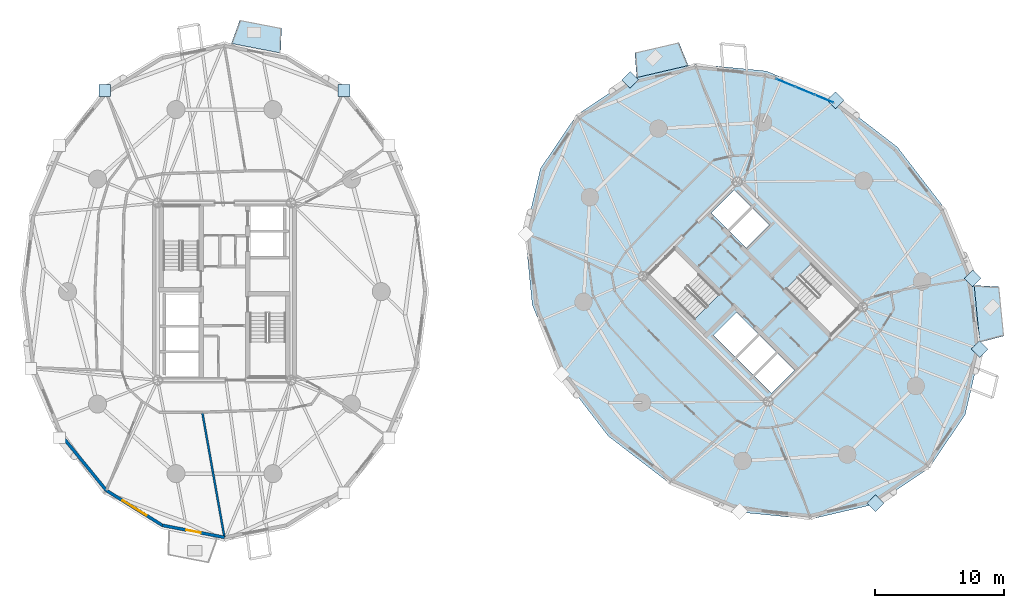
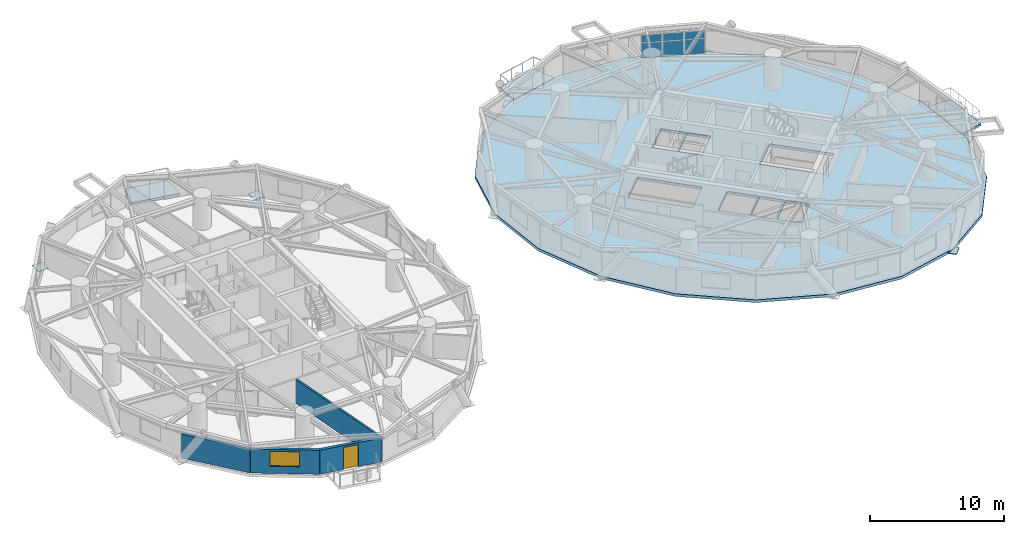
# One storey, part 9 of 18: 13 plates, 4 slabs, 4 walls, 1 door, 1 window, 2 openings, 1 element without a shape of its own.
"""IFC4 building model written with IfcOpenShell, lengths in metres."""

import ifcopenshell
import ifcopenshell.guid

model = None  # the IFC model being written
_history = None  # IfcOwnerHistory: only IFC2X3 demands one
_inside = {}  # id of a spatial element -> (the spatial element, [elements in it])
_under = {}  # id of a project, library or spatial element -> (it, [spatial elements below it])
_declared = {}  # id of a project -> (the project, [libraries it declares])
_typed = {}  # id of a type object -> (the type object, [elements of that type])
_made_of = {}  # id of a material, layer set ... -> (it, [elements and type objects made of it])


def new_model(schema):
    """Start an empty IFC model of exactly this schema.

    Asked for "IFC4X3", IfcOpenShell would pick the latest addendum, in which some entities
    have other attributes; the version numbers below select the first issue.
    IFC2X3 requires an IfcOwnerHistory on every rooted entity: one is made here for all.
    """
    global model, _history
    if schema == "IFC4X3":
        model = ifcopenshell.file(schema_version=(4, 3, 0, 0))
    else:
        model = ifcopenshell.file(schema=schema)
    _inside.clear()
    _under.clear()
    _declared.clear()
    _typed.clear()
    _made_of.clear()
    _history = None
    if model.schema == "IFC2X3":
        org = make("IfcOrganization", Name="unknown")
        user = make(
            "IfcPersonAndOrganization",
            ThePerson=make("IfcPerson", FamilyName="unknown"),
            TheOrganization=org,
        )
        app = make(
            "IfcApplication",
            ApplicationDeveloper=org,
            Version="unknown",
            ApplicationFullName="unknown",
            ApplicationIdentifier="unknown",
        )
        _history = make(
            "IfcOwnerHistory",
            OwningUser=user,
            OwningApplication=app,
            ChangeAction="ADDED",
            CreationDate=0,
        )
    return model


def make(cls, **values):
    """One entity of the class cls with the attributes given. An attribute that is None is left unset."""
    return model.create_entity(
        cls, **{name: value for name, value in values.items() if value is not None}
    )


def rooted(cls, **values):
    """An entity with a GlobalId (a new one), such as an element, a storey or a relation."""
    return make(cls, GlobalId=ifcopenshell.guid.new(), OwnerHistory=_history, **values)


def si_unit(unit_type, name, prefix=None):
    """IfcSIUnit, for example si_unit("LENGTHUNIT", "METRE", prefix="MILLI")."""
    return make("IfcSIUnit", UnitType=unit_type, Prefix=prefix, Name=name)


def assignment(units):
    """IfcUnitAssignment: the units of a project."""
    return None if units is None else make("IfcUnitAssignment", Units=units)


def point(xyz):
    """IfcCartesianPoint."""
    return None if xyz is None else make("IfcCartesianPoint", Coordinates=xyz)


def direction(xyz):
    """IfcDirection."""
    return None if xyz is None else make("IfcDirection", DirectionRatios=xyz)


def frame(location, z_axis=None, x_axis=None):
    """IfcAxis2Placement3D, a coordinate frame: its origin and axes. An axis left out is left unset."""
    return make(
        "IfcAxis2Placement3D",
        Location=point(location),
        Axis=direction(z_axis),
        RefDirection=direction(x_axis),
    )


def frame_2d(location, x_axis=None):
    """IfcAxis2Placement2D, a coordinate frame in the plane: its origin and x axis."""
    return make(
        "IfcAxis2Placement2D", Location=point(location), RefDirection=direction(x_axis)
    )


def origin():
    """The frame at (0, 0, 0) with its axes left unset."""
    return frame((0.0, 0.0, 0.0))


def origin_2d():
    """The frame at (0, 0) in the plane with its x axis left unset."""
    return frame_2d((0.0, 0.0))


def place(relative_to, where):
    """IfcLocalPlacement: puts the frame where relative to a parent placement (None: the world)."""
    return make(
        "IfcLocalPlacement", PlacementRelTo=relative_to, RelativePlacement=where
    )


def context(
    kind, dimensions, precision=None, world=None, true_north=None, identifier=None
):
    """IfcGeometricRepresentationContext, for example the 3D "Model" context."""
    return make(
        "IfcGeometricRepresentationContext",
        ContextIdentifier=identifier,
        ContextType=kind,
        CoordinateSpaceDimension=dimensions,
        Precision=precision,
        WorldCoordinateSystem=world,
        TrueNorth=true_north,
    )


def subcontext(parent, identifier, kind, view, scale=None):
    """IfcGeometricRepresentationSubContext, for example "Body" below "Model"."""
    return make(
        "IfcGeometricRepresentationSubContext",
        ContextIdentifier=identifier,
        ContextType=kind,
        ParentContext=parent,
        TargetScale=scale,
        TargetView=view,
    )


def project(units=None, contexts=None):
    """IfcProject with its units and contexts."""
    return rooted(
        "IfcProject",
        Name="project",
        RepresentationContexts=contexts,
        UnitsInContext=assignment(units),
    )


def spatial(cls, under=None, at=None, **own):
    """A site, building, storey or space (cls), placed at a placement, below another one or the project."""
    s = rooted(cls, ObjectPlacement=at, **own)
    if under is not None:
        _under.setdefault(under.id(), (under, []))[1].append(s)
    return s


def polyline(points):
    """IfcPolyline through the points."""
    return make("IfcPolyline", Points=[point(p) for p in points])


def profile(cls, at=None, kind="AREA", **sizes):
    """A parametric profile (cls). Its sizes go by their IFC names, for example OverallWidth=200.0."""
    return make(cls, ProfileType=kind, Position=at, **sizes)


def rectangle(**sizes):
    """IfcRectangleProfileDef."""
    return profile("IfcRectangleProfileDef", **sizes)


def outline(outer, holes=None, kind="AREA"):
    """IfcArbitraryClosedProfileDef: a profile drawn as a closed curve; with holes, ...WithVoids."""
    if holes is None:
        return make("IfcArbitraryClosedProfileDef", ProfileType=kind, OuterCurve=outer)
    return make(
        "IfcArbitraryProfileDefWithVoids",
        ProfileType=kind,
        OuterCurve=outer,
        InnerCurves=holes,
    )


def extrude(swept, where, along, depth):
    """IfcExtrudedAreaSolid: the profile swept, set in the frame where, extruded along a direction by depth."""
    return make(
        "IfcExtrudedAreaSolid",
        SweptArea=swept,
        Position=where,
        ExtrudedDirection=direction(along),
        Depth=depth,
    )


def shape(context_of_items, identifier, shape_type, items):
    """IfcShapeRepresentation: the items that make up one representation, for example the "Body"."""
    return make(
        "IfcShapeRepresentation",
        ContextOfItems=context_of_items,
        RepresentationIdentifier=identifier,
        RepresentationType=shape_type,
        Items=items,
    )


def source(mapping_origin, context_of_items, identifier, shape_type, items):
    """IfcRepresentationMap: a shape defined once, which mapped items show again and again."""
    return make(
        "IfcRepresentationMap",
        MappingOrigin=mapping_origin,
        MappedRepresentation=shape(context_of_items, identifier, shape_type, items),
    )


def transform(
    local_origin,
    x_axis=None,
    y_axis=None,
    z_axis=None,
    scale=None,
    scale2=None,
    scale3=None,
    uniform=True,
):
    """IfcCartesianTransformationOperator3D, or its non-uniform kind. x_axis, y_axis, z_axis: its Axis1, 2, 3."""
    if uniform:
        return make(
            "IfcCartesianTransformationOperator3D",
            Axis1=direction(x_axis),
            Axis2=direction(y_axis),
            LocalOrigin=point(local_origin),
            Scale=scale,
            Axis3=direction(z_axis),
        )
    return make(
        "IfcCartesianTransformationOperator3DnonUniform",
        Axis1=direction(x_axis),
        Axis2=direction(y_axis),
        LocalOrigin=point(local_origin),
        Scale=scale,
        Axis3=direction(z_axis),
        Scale2=scale2,
        Scale3=scale3,
    )


def mapped(mapping_source, mapping_target):
    """IfcMappedItem: shows the shape of a source again, moved by a transform."""
    return make(
        "IfcMappedItem", MappingSource=mapping_source, MappingTarget=mapping_target
    )


def material(Name=None, Category=None):
    """IfcMaterial."""
    return make("IfcMaterial", Name=Name, Category=Category)


def layer(
    of_material, thickness, ventilated=None, Name=None, Category=None, Priority=None
):
    """IfcMaterialLayer: one layer of a wall or slab, of a material (None: an air gap)."""
    return make(
        "IfcMaterialLayer",
        Material=of_material,
        LayerThickness=thickness,
        IsVentilated=ventilated,
        Name=Name,
        Category=Category,
        Priority=Priority,
    )


def layer_set(layers, Name=None):
    """IfcMaterialLayerSet."""
    return make("IfcMaterialLayerSet", MaterialLayers=layers, LayerSetName=Name)


def made_of(thing, what):
    """Note that an element or type object is made of a material, layer set ...; save() writes the relation."""
    if what is not None:
        _made_of.setdefault(what.id(), (what, []))[1].append(thing)
    return thing


def type_object(cls, material=None, **own):
    """A type object (cls), such as IfcWallType, which elements share."""
    return made_of(rooted(cls, **own), material)


def element(
    cls,
    number,
    at=None,
    inside=None,
    cuts=None,
    type_object=None,
    material=None,
    context=None,
    identifier="Body",
    shape_type=None,
    held_by="IfcProductDefinitionShape",
    body=None,
    shapes=None,
    **own,
):
    """One element of the class cls, such as IfcWall. Its Tag is "e" and its number.

    at: its placement. inside: the storey or other place that contains it. cuts: it is an
    opening in that element (IfcRelVoidsElement). A single representation is given by context,
    identifier, shape_type and body (its items); several are given by shapes. held_by: the class
    of the entity that holds the representations. save() writes the other relations.
    """
    e = rooted(cls, Tag="e%d" % number, ObjectPlacement=at, **own)
    if body is not None:
        shapes = [shape(context, identifier, shape_type, body)]
    if shapes is not None:
        e.Representation = make(held_by, Representations=shapes)
    if inside is not None:
        _inside.setdefault(inside.id(), (inside, []))[1].append(e)
    if cuts is not None:
        rooted(
            "IfcRelVoidsElement", RelatingBuildingElement=cuts, RelatedOpeningElement=e
        )
    if type_object is not None:
        _typed.setdefault(type_object.id(), (type_object, []))[1].append(e)
    return made_of(e, material)


def fill(opening, filler):
    """IfcRelFillsElement: the door or window that sits in an opening."""
    return rooted(
        "IfcRelFillsElement",
        RelatingOpeningElement=opening,
        RelatedBuildingElement=filler,
    )


def aggregate(whole, parts):
    """IfcRelAggregates: a whole, such as a stair, and the parts it consists of."""
    return rooted("IfcRelAggregates", RelatingObject=whole, RelatedObjects=parts)


def save(model, path):
    """Write the relations noted so far, then the file.

    IfcRelAggregates (storeys below a building ...), IfcRelContainedInSpatialStructure (elements
    in a storey), IfcRelDefinesByType, IfcRelAssociatesMaterial and IfcRelDeclares: one each for
    every whole, place, type object, material and project.
    """
    for whole, parts in _under.values():
        aggregate(whole, parts)
    for where, things in _inside.values():
        rooted(
            "IfcRelContainedInSpatialStructure",
            RelatedElements=things,
            RelatingStructure=where,
        )
    for kind, things in _typed.values():
        rooted("IfcRelDefinesByType", RelatedObjects=things, RelatingType=kind)
    for what, things in _made_of.values():
        rooted("IfcRelAssociatesMaterial", RelatedObjects=things, RelatingMaterial=what)
    for by, libraries in _declared.values():
        rooted("IfcRelDeclares", RelatingContext=by, RelatedDefinitions=libraries)
    model.write(path)


model = new_model("IFC4")

# Units and contexts
model_context = context("Model", 3, precision=1e-05, world=origin(), true_north=direction((0.0, 1.0)))
body_context = subcontext(model_context, "Body", "Model", "MODEL_VIEW")
ifc_project = project(units=[si_unit("LENGTHUNIT", "METRE"), si_unit("AREAUNIT", "SQUARE_METRE"), si_unit("VOLUMEUNIT", "CUBIC_METRE"), si_unit("PLANEANGLEUNIT", "RADIAN"), si_unit("MASSUNIT", "GRAM", prefix="KILO")], contexts=[model_context])

# Site, building, storey
site_placement = place(None, origin())
site = spatial("IfcSite", under=ifc_project, at=site_placement, CompositionType="ELEMENT")
building_placement = place(site_placement, origin())
building = spatial("IfcBuilding", under=site, at=building_placement, Name="Cununo Teusaquillo Station Towers", CompositionType="ELEMENT")
storey_placement = place(building_placement, frame((0.0, 0.0, 119.6201171875)))
storey = spatial("IfcBuildingStorey", under=building, at=storey_placement, Name="L38", CompositionType="ELEMENT", Elevation=119.6201171875)

# Slabs
ifc_material_1 = material(Name="Concrete C50/60", Category="concrete")
ifc_layer_1 = layer(ifc_material_1, 0.2099609375)
ifc_layer_set_1 = layer_set([ifc_layer_1], Name="Concrete C50/60")
slab_type_1 = type_object("IfcSlabType", Name="SLB-BAL-210", PredefinedType="FLOOR", material=ifc_layer_set_1)
slab_1_placement = place(storey_placement, frame((0.0, 0.0, -0.210205078125)))
element("IfcSlab", 1, at=slab_1_placement, inside=storey, type_object=slab_type_1, Name="L38 Tower A Tree Balcony Slab 1", PredefinedType="FLOOR", context=body_context, shape_type="SweptSolid", body=[
    extrude(outline(polyline([(20.8623046875, 43.01220703125), (17.041015625, 43.75048828125), (17.69873046875, 45.573974609375), (20.930908203125, 44.94921875), (20.8623046875, 43.01220703125)])), origin(), (0.0, 0.0, 1.0), 0.210205078125),
])
slab_2_placement = place(storey_placement, frame((0.0, 0.0, -0.210205078125)))
element("IfcSlab", 2, at=slab_2_placement, inside=storey, type_object=slab_type_1, Name="L38 Tower B Tree Balcony Slab 1", PredefinedType="FLOOR", context=body_context, shape_type="SweptSolid", body=[
    extrude(outline(polyline([(52.486083984375, 42.04150390625), (48.4873046875, 41.1083984375), (48.344482421875, 43.04150390625), (51.7587890625, 43.83837890625), (52.486083984375, 42.04150390625)])), origin(), (0.0, 0.0, 1.0), 0.210205078125),
])
slab_3_placement = place(storey_placement, frame((0.0, 0.0, -0.210205078125)))
element("IfcSlab", 3, at=slab_3_placement, inside=storey, type_object=slab_type_1, Name="L38 Tower B Tree Balcony Slab 2", PredefinedType="FLOOR", context=body_context, shape_type="SweptSolid", body=[
    extrude(outline(polyline([(75.1123046875, 20.57080078125), (74.675048828125, 24.984375), (76.6103515625, 24.87451171875), (76.988525390625, 21.05810546875), (75.1123046875, 20.57080078125)])), origin(), (0.0, 0.0, 1.0), 0.210205078125),
])
ifc_material_2 = material(Name="Concrete C40/50", Category="concrete")
ifc_layer_2 = layer(ifc_material_2, 0.239990234375)
ifc_layer_set_2 = layer_set([ifc_layer_2], Name="Concrete C40/50")
slab_type_2 = type_object("IfcSlabType", Name="SLB-Z2-240", PredefinedType="FLOOR", material=ifc_layer_set_2)
slab_4_placement = place(storey_placement, frame((0.0, 0.0, -0.240234375)))
element("IfcSlab", 4, at=slab_4_placement, inside=storey, type_object=slab_type_2, Name="L38 Tower B Floor Slab", PredefinedType="FLOOR", context=body_context, shape_type="SweptSolid", body=[
    extrude(outline(polyline([(68.71533203125, 35.71533203125), (63.938232421875, 39.39453125), (58.531005859375, 41.61572265625), (53.02294921875, 42.16162109375), (47.952880859375, 40.978515625), (43.8173828125, 38.1826171875), (41.021484375, 34.047119140625), (39.83837890625, 28.97705078125), (40.38427734375, 23.468994140625), (42.60546875, 18.061767578125), (46.28466796875, 13.28466796875), (51.061767578125, 9.60546875), (56.468994140625, 7.38427734375), (61.97705078125, 6.83837890625), (67.047119140625, 8.021484375), (71.1826171875, 10.8173828125), (73.978515625, 14.952880859375), (75.16162109375, 20.02294921875), (74.61572265625, 25.531005859375), (72.39453125, 30.938232421875), (68.71533203125, 35.71533203125)]), holes=[polyline([(54.914794921875, 24.28515625), (51.390625, 27.809326171875), (49.43896484375, 25.857666015625), (52.963134765625, 22.33349609375), (54.914794921875, 24.28515625)]), polyline([(60.085205078125, 24.71484375), (63.609375, 21.190673828125), (65.56103515625, 23.142333984375), (62.036865234375, 26.66650390625), (60.085205078125, 24.71484375)]), polyline([(56.156494140625, 19.40869140625), (57.945556640625, 21.19775390625), (56.248291015625, 22.89501953125), (54.45947265625, 21.10595703125), (56.156494140625, 19.40869140625)]), polyline([(58.94970703125, 16.61572265625), (60.738525390625, 18.40478515625), (59.430419921875, 19.712890625), (57.641357421875, 17.923828125), (58.94970703125, 16.61572265625)]), polyline([(57.535400390625, 18.030029296875), (59.32421875, 19.819091796875), (58.01611328125, 21.127197265625), (56.227294921875, 19.338134765625), (57.535400390625, 18.030029296875)]), polyline([(56.98388671875, 27.872802734375), (58.772705078125, 29.661865234375), (57.464599609375, 30.969970703125), (55.67578125, 29.180908203125), (56.98388671875, 27.872802734375)]), polyline([(55.569580078125, 29.287109375), (57.358642578125, 31.076171875), (56.05029296875, 32.38427734375), (54.261474609375, 30.59521484375), (55.569580078125, 29.287109375)])]), origin(), (0.0, 0.0, 1.0), 0.240234375),
])

# Plates
ifc_material_3 = material(Name="Steel ASTM A572 Grade 50", Category="steel")
ifc_layer_3 = layer(ifc_material_3, 0.050048828125)
ifc_layer_set_3 = layer_set([ifc_layer_3], Name="Steel ASTM A572 Grade 50")
plate_type_1 = type_object("IfcPlateType", Name="PLT-NODE-DN1", PredefinedType="USERDEFINED", material=ifc_layer_set_3)
shared_shape_1 = source(origin(), body_context, "Body", "SweptSolid", [
    extrude(rectangle(XDim=0.919921875, YDim=0.919921875, at=origin_2d()), origin(), (0.0, 0.0, 1.0), 0.050048828125),
])
for number, where, z_axis, x_axis, name in (
    (5, (25.78759765625, 40.10595703125, -0.1650390625), (0.0, 0.0, 1.0), (1.0, 0.0, 0.0), "L38 Tower A Diagrid Node Assembly C03"),
    (6, (7.21240234375, 40.10595703125, -0.1650390625), (0.0, 0.0, 1.0), (1.0, 0.0, 0.0), "L38 Tower A Diagrid Node Assembly C06"),
    (7, (63.9111328125, 39.341064453125, -0.1650390625), (0.0, 0.0, 1.0), (0.707106781187, 0.707106781187, 0.0), "L38 Tower B Diagrid Node Assembly C00"),
    (8, (47.980224609375, 40.92529296875, -0.1650390625), (0.0, 0.0, 1.0), (0.707106781187, 0.707106781187, 0.0), "L38 Tower B Diagrid Node Assembly C04"),
    (9, (67.019775390625, 8.07470703125, -0.1650390625), (0.0, 0.0, 1.0), (0.707106781187, 0.707106781187, 0.0), "L38 Tower B Diagrid Node Assembly C14"),
    (10, (75.102294921875, 20.0322265625, -0.1650390625), (0.0, 0.0, 1.0), (0.707106781187, 0.707106781187, 0.0), "L38 Tower B Diagrid Node Assembly C16"),
    (11, (74.556640625, 25.521728515625, -0.1650390625), (0.0, 0.0, 1.0), (0.707106781187, 0.707106781187, 0.0), "L38 Tower B Diagrid Node Assembly C18"),
):
    element("IfcPlate", number, at=place(storey_placement, frame(where, z_axis=z_axis, x_axis=x_axis)), inside=storey, type_object=plate_type_1, Name=name, ObjectType="GUSSET PLATE", PredefinedType="USERDEFINED", context=body_context, shape_type="MappedRepresentation", body=[
        mapped(shared_shape_1, transform((0.0, 0.0, 0.0), x_axis=(1.0, 0.0, 0.0), y_axis=(0.0, 1.0, 0.0), z_axis=(0.0, 0.0, 1.0), scale=1.0)),
    ])

# Curtain wall, plates
ifc_material_4 = material(Name="Ceramic-fritted dark low-E double glazing", Category="glass")
ifc_layer_4 = layer(ifc_material_4, 0.179931640625)
ifc_layer_set_4 = layer_set([ifc_layer_4], Name="Ceramic-fritted dark low-E double glazing")
curtain_wall_type = type_object("IfcCurtainWallType", Name="CW-SYS-04", PredefinedType="USERDEFINED", material=ifc_layer_set_4)
curtain_wall_placement = place(storey_placement, origin())
curtain_wall = element("IfcCurtainWall", 12, at=curtain_wall_placement, inside=storey, type_object=curtain_wall_type, Name="L38 Tower B Facade Curtain Wall C01", ObjectType="FRITTED GLAZING", PredefinedType="USERDEFINED")
ifc_material_5 = material(Name="Ceramic-fritted dark low-E double glazing", Category="glass")
ifc_layer_5 = layer(ifc_material_5, 0.028076171875)
ifc_layer_set_5 = layer_set([ifc_layer_5], Name="Ceramic-fritted dark low-E double glazing")
plate_type_2 = type_object("IfcPlateType", Name="CWP-FRIT-28", PredefinedType="CURTAIN_PANEL", material=ifc_layer_set_5)
shared_shape_2 = source(origin(), body_context, "Body", "SweptSolid", [
    extrude(rectangle(XDim=1.531005859375, YDim=0.028076171875, at=origin_2d()), origin(), (0.0, 0.0, 1.0), 1.31103515625),
])
plate_1_placement = place(storey_placement, frame((60.045654296875, 40.697021484375, 0.06982421875), z_axis=(0.0, 0.0, 1.0), x_axis=(0.924562443652, -0.381030560176, 0.0)))
plate_1 = element("IfcPlate", 13, at=plate_1_placement, type_object=plate_type_2, Name="CW-04 panel 1.1", PredefinedType="CURTAIN_PANEL", context=body_context, shape_type="MappedRepresentation", body=[
    mapped(shared_shape_2, transform((0.0, 0.0, 0.0), x_axis=(1.0, 0.0, 0.0), y_axis=(0.0, 1.0, 0.0), z_axis=(0.0, 0.0, 1.0), scale=1.0)),
])
plate_2_placement = place(storey_placement, frame((63.03857421875, 39.463623046875, 0.06982421875), z_axis=(0.0, 0.0, 1.0), x_axis=(0.924562443652, -0.381030560176, 0.0)))
plate_2 = element("IfcPlate", 14, at=plate_2_placement, type_object=plate_type_2, Name="CW-04 panel 3.1", PredefinedType="CURTAIN_PANEL", context=body_context, shape_type="MappedRepresentation", body=[
    mapped(shared_shape_2, transform((0.0, 0.0, 0.0), x_axis=(1.0, 0.0, 0.0), y_axis=(0.0, 1.0, 0.0), z_axis=(0.0, 0.0, 1.0), scale=1.0)),
])
shared_shape_3 = source(origin(), body_context, "Body", "SweptSolid", [
    extrude(rectangle(XDim=1.531005859375, YDim=0.028076171875, at=origin_2d()), origin(), (0.0, 0.0, 1.0), 0.657958984375),
])
plate_3_placement = place(storey_placement, frame((60.045654296875, 40.697021484375, 1.45068359375), z_axis=(0.0, 0.0, 1.0), x_axis=(0.924562443652, -0.381030560176, 0.0)))
plate_3 = element("IfcPlate", 15, at=plate_3_placement, type_object=plate_type_2, Name="CW-04 panel 1.2", PredefinedType="CURTAIN_PANEL", context=body_context, shape_type="MappedRepresentation", body=[
    mapped(shared_shape_3, transform((0.0, 0.0, 0.0), x_axis=(1.0, 0.0, 0.0), y_axis=(0.0, 1.0, 0.0), z_axis=(0.0, 0.0, 1.0), scale=1.0)),
])
plate_4_placement = place(storey_placement, frame((63.03857421875, 39.463623046875, 1.45068359375), z_axis=(0.0, 0.0, 1.0), x_axis=(0.924562443652, -0.381030560176, 0.0)))
plate_4 = element("IfcPlate", 16, at=plate_4_placement, type_object=plate_type_2, Name="CW-04 panel 3.2", PredefinedType="CURTAIN_PANEL", context=body_context, shape_type="MappedRepresentation", body=[
    mapped(shared_shape_3, transform((0.0, 0.0, 0.0), x_axis=(1.0, 0.0, 0.0), y_axis=(0.0, 1.0, 0.0), z_axis=(0.0, 0.0, 1.0), scale=1.0)),
])
shared_shape_4 = source(origin(), body_context, "Body", "SweptSolid", [
    extrude(rectangle(XDim=1.566162109375, YDim=0.028076171875, at=origin_2d()), origin(), (0.0, 0.0, 1.0), 1.31103515625),
])
plate_5_placement = place(storey_placement, frame((61.542236328125, 40.080322265625, 0.06982421875), z_axis=(0.0, 0.0, 1.0), x_axis=(0.924562443652, -0.381030560176, 0.0)))
plate_5 = element("IfcPlate", 17, at=plate_5_placement, type_object=plate_type_2, Name="CW-04 panel 2.1", PredefinedType="CURTAIN_PANEL", context=body_context, shape_type="MappedRepresentation", body=[
    mapped(shared_shape_4, transform((0.0, 0.0, 0.0), x_axis=(1.0, 0.0, 0.0), y_axis=(0.0, 1.0, 0.0), z_axis=(0.0, 0.0, 1.0), scale=1.0)),
])
shared_shape_5 = source(origin(), body_context, "Body", "SweptSolid", [
    extrude(rectangle(XDim=1.566162109375, YDim=0.028076171875, at=origin_2d()), origin(), (0.0, 0.0, 1.0), 0.657958984375),
])
plate_6_placement = place(storey_placement, frame((61.542236328125, 40.080322265625, 1.45068359375), z_axis=(0.0, 0.0, 1.0), x_axis=(0.924562443652, -0.381030560176, 0.0)))
plate_6 = element("IfcPlate", 18, at=plate_6_placement, type_object=plate_type_2, Name="CW-04 panel 2.2", PredefinedType="CURTAIN_PANEL", context=body_context, shape_type="MappedRepresentation", body=[
    mapped(shared_shape_5, transform((0.0, 0.0, 0.0), x_axis=(1.0, 0.0, 0.0), y_axis=(0.0, 1.0, 0.0), z_axis=(0.0, 0.0, 1.0), scale=1.0)),
])
aggregate(curtain_wall, [plate_1, plate_3, plate_5, plate_6, plate_2, plate_4])

# Wall
ifc_material_6 = material(Name="Precast concrete C40/50", Category="concrete")
ifc_layer_6 = layer(ifc_material_6, 0.239990234375)
ifc_layer_set_6 = layer_set([ifc_layer_6], Name="Precast concrete C40/50")
wall_type_1 = type_object("IfcWallType", Name="WL-EXT-240", PredefinedType="SOLIDWALL", material=ifc_layer_set_6)
wall_1_placement = place(storey_placement, frame((7.341796875, 9.072021484375, 0.0), z_axis=(0.0, 0.0, 1.0), x_axis=(-0.632700781152, 0.77439635945, 0.0)))
element("IfcWall", 19, at=wall_1_placement, inside=storey, type_object=wall_type_1, Name="L38 Tower A Exterior Facade Wall C12", PredefinedType="SOLIDWALL", context=body_context, shape_type="SweptSolid", body=[
    extrude(rectangle(XDim=5.447998046875, YDim=0.239990234375, at=frame_2d((2.72412109375, 0.0))), origin(), (0.0, 0.0, 1.0), 2.178955078125),
])

# Wall, opening, window
wall_2_placement = place(storey_placement, frame((11.685302734375, 6.36328125, 0.0), z_axis=(0.0, 0.0, 1.0), x_axis=(-0.848520380187, 0.529162701263, 0.0)))
wall_2 = element("IfcWall", 20, at=wall_2_placement, inside=storey, type_object=wall_type_1, Name="L38 Tower A Exterior Facade Wall C13", PredefinedType="SOLIDWALL", context=body_context, shape_type="SweptSolid", body=[
    extrude(rectangle(XDim=5.118896484375, YDim=0.239990234375, at=frame_2d((2.5595703125, 0.0))), origin(), (0.0, 0.0, 1.0), 2.178955078125),
])
shared_shape_6 = source(origin(), body_context, "Body", "SweptSolid", [
    extrude(rectangle(XDim=2.199951171875, YDim=1.35009765625, at=frame_2d((1.10009765625, 0.675048828125))), frame((0.0, 0.1298828125, 0.0), z_axis=(0.0, -1.0, 0.0), x_axis=(1.0, 0.0, 0.0)), (0.0, 0.0, 1.0), 0.260009765625),
])
opening_1_placement = place(wall_2_placement, frame((1.458984375, 0.0, 0.64990234375)))
opening_1 = element("IfcOpeningElement", 21, at=opening_1_placement, cuts=wall_2, Name="Opening WN-01", PredefinedType="OPENING", context=body_context, shape_type="MappedRepresentation", body=[
    mapped(shared_shape_6, transform((0.0, 0.0, 0.0), x_axis=(1.0, 0.0, 0.0), y_axis=(0.0, 1.0, 0.0), z_axis=(0.0, 0.0, 1.0), scale=1.0)),
])
ifc_material_7 = material(Name="Ceramic-fritted dark low-E double glazing", Category="glass")
window_type = type_object("IfcWindowType", Name="WIN-FRIT-2200", PartitioningType="DOUBLE_PANEL_VERTICAL", PredefinedType="WINDOW", material=ifc_material_7)
shared_shape_7 = source(origin(), body_context, "Body", "SweptSolid", [
    extrude(rectangle(XDim=2.199951171875, YDim=1.35009765625, at=frame_2d((1.10009765625, 0.675048828125))), frame((0.0, 0.030029296875, 0.0), z_axis=(0.0, -1.0, 0.0), x_axis=(1.0, 0.0, 0.0)), (0.0, 0.0, 1.0), 0.06005859375),
])
window_placement = place(opening_1_placement, origin())
window = element("IfcWindow", 22, at=window_placement, inside=storey, type_object=window_type, Name="L38 Tower A Facade Window C13", OverallHeight=1.35009765625, OverallWidth=2.199951171875, PartitioningType="DOUBLE_PANEL_VERTICAL", PredefinedType="WINDOW", context=body_context, shape_type="MappedRepresentation", body=[
    mapped(shared_shape_7, transform((0.0, 0.0, 0.0), x_axis=(1.0, 0.0, 0.0), y_axis=(0.0, 1.0, 0.0), z_axis=(0.0, 0.0, 1.0), scale=1.0)),
])
fill(opening_1, window)

# Wall, opening, door
wall_3_placement = place(storey_placement, frame((16.5, 5.429931640625, 0.0), z_axis=(0.0, 0.0, 1.0), x_axis=(-0.981723785992, 0.190311344954, 0.0)))
wall_3 = element("IfcWall", 23, at=wall_3_placement, inside=storey, type_object=wall_type_1, Name="L38 Tower A Exterior Facade Wall C14", PredefinedType="SOLIDWALL", context=body_context, shape_type="SweptSolid", body=[
    extrude(rectangle(XDim=4.904296875, YDim=0.239990234375, at=frame_2d((2.4521484375, 0.0))), origin(), (0.0, 0.0, 1.0), 2.178955078125),
])
shared_shape_8 = source(origin(), body_context, "Body", "SweptSolid", [
    extrude(rectangle(XDim=1.14990234375, YDim=2.0048828125, at=frame_2d((0.574951171875, 1.00244140625))), frame((0.0, 0.1298828125, 0.0), z_axis=(0.0, -1.0, 0.0), x_axis=(1.0, 0.0, 0.0)), (0.0, 0.0, 1.0), 0.260009765625),
])
opening_2_placement = place(wall_3_placement, frame((1.876953125, 0.0, 0.0)))
opening_2 = element("IfcOpeningElement", 24, at=opening_2_placement, cuts=wall_3, Name="Opening ED-03", PredefinedType="OPENING", context=body_context, shape_type="MappedRepresentation", body=[
    mapped(shared_shape_8, transform((0.0, 0.0, 0.0), x_axis=(1.0, 0.0, 0.0), y_axis=(0.0, 1.0, 0.0), z_axis=(0.0, 0.0, 1.0), scale=1.0)),
])
ifc_material_8 = material(Name="Anodised dark bronze aluminium EN AW-6063-T6", Category="aluminium")
door_type = type_object("IfcDoorType", Name="DR-EXT-BAL", OperationType="NOTDEFINED", PredefinedType="DOOR", material=ifc_material_8)
shared_shape_9 = source(origin(), body_context, "Body", "SweptSolid", [
    extrude(rectangle(XDim=1.14990234375, YDim=2.0048828125, at=frame_2d((0.574951171875, 1.00244140625))), frame((0.0, 0.02490234375, 0.0), z_axis=(0.0, -1.0, 0.0), x_axis=(1.0, 0.0, 0.0)), (0.0, 0.0, 1.0), 0.050048828125),
])
door_placement = place(opening_2_placement, origin())
door = element("IfcDoor", 25, at=door_placement, inside=storey, type_object=door_type, Name="L38 Tower A Tree Balcony Door C14", OperationType="SINGLE_SWING_LEFT", OverallHeight=2.0048828125, OverallWidth=1.14990234375, PredefinedType="DOOR", context=body_context, shape_type="MappedRepresentation", body=[
    mapped(shared_shape_9, transform((0.0, 0.0, 0.0), x_axis=(1.0, 0.0, 0.0), y_axis=(0.0, 1.0, 0.0), z_axis=(0.0, 0.0, 1.0), scale=1.0)),
])
fill(opening_2, door)

# Wall
ifc_material_9 = material(Name="Fire-rated gypsum plasterboard partition assembly", Category="gypsum")
ifc_layer_7 = layer(ifc_material_9, 0.159912109375)
ifc_layer_set_7 = layer_set([ifc_layer_7], Name="Fire-rated gypsum plasterboard partition assembly")
wall_type_2 = type_object("IfcWallType", Name="WL-PART-160", PredefinedType="PARTITIONING", material=ifc_layer_set_7)
wall_4_placement = place(storey_placement, frame((14.781005859375, 15.140625, 0.0), z_axis=(0.0, 0.0, 1.0), x_axis=(0.174659805548, -0.984628839881, 0.0)))
element("IfcWall", 26, at=wall_4_placement, inside=storey, type_object=wall_type_2, Name="L38 Tower A Radial Suite Partition R05", PredefinedType="PARTITIONING", context=body_context, shape_type="SweptSolid", body=[
    extrude(rectangle(XDim=9.842041015625, YDim=0.159912109375, at=frame_2d((4.9208984375, 0.0))), origin(), (0.0, 0.0, 1.0), 2.178955078125),
])

save(model, "model.ifc")
